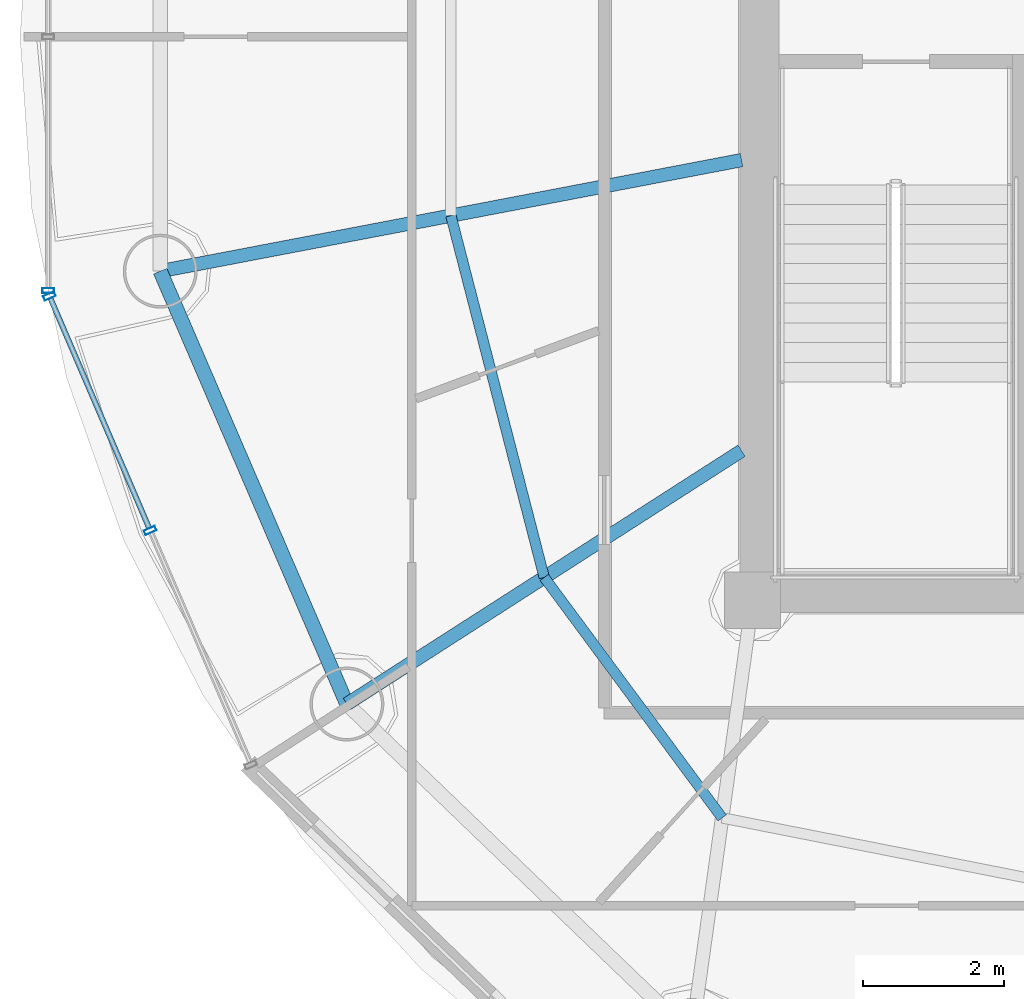
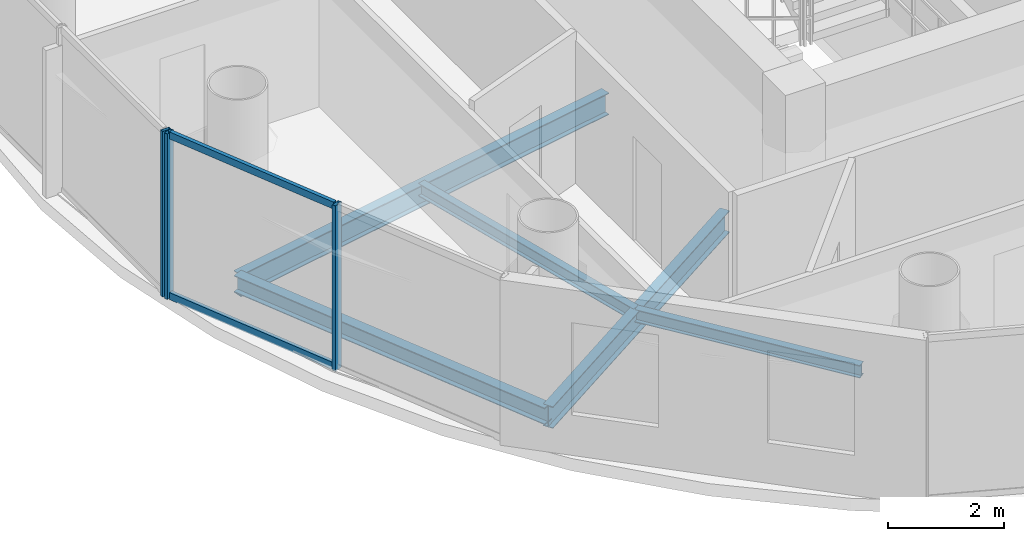
# One storey, part 4 of 22: 5 beams, 5 members, 2 elements without a shape of their own.
"""IFC4 building model written with IfcOpenShell, lengths in metres."""

from ifc_helpers import new_model, si_unit, direction, frame, origin, origin_2d, place, context, subcontext, project, spatial, hollow_rectangle, i_section, extrude, source, transform, mapped, material, material_profile, profile_set, type_object, element, aggregate, save


model = new_model("IFC4")

# Units and contexts
model_context = context("Model", 3, precision=1e-05, world=origin(), true_north=direction((-0.2419218956, 0.970295726276)))
body_context = subcontext(model_context, "Body", "Model", "MODEL_VIEW")
ifc_project = project(units=[si_unit("LENGTHUNIT", "METRE"), si_unit("AREAUNIT", "SQUARE_METRE"), si_unit("VOLUMEUNIT", "CUBIC_METRE"), si_unit("PLANEANGLEUNIT", "RADIAN"), si_unit("MASSUNIT", "GRAM", prefix="KILO")], contexts=[model_context])

# Site, building, storey
site_placement = place(None, origin())
site = spatial("IfcSite", under=ifc_project, at=site_placement, CompositionType="ELEMENT")
building_placement = place(site_placement, origin())
building = spatial("IfcBuilding", under=site, at=building_placement, Name="Cobrevalo Terracotta Tower", CompositionType="ELEMENT")
storey_placement = place(building_placement, frame((0.0, 0.0, 289.449951171875)))
storey = spatial("IfcBuildingStorey", under=building, at=storey_placement, Name="L76", CompositionType="ELEMENT", Elevation=289.449951171875)

# Beams
ifc_material_1 = material(Name="Steel S355", Category="steel")
ifc_material_profile_1 = material_profile(ifc_material_1, i_section(OverallWidth=0.19091796875, OverallDepth=0.4599609375, WebThickness=0.010009765625, FlangeThickness=0.01611328125, at=origin_2d()), Name="W 460x82")
ifc_profile_set_1 = profile_set([ifc_material_profile_1], Name="Steel S355")
beam_type_1 = type_object("IfcBeamType", Name="Structural Beam W 460x82 (Steel S355)", PredefinedType="BEAM", material=ifc_profile_set_1)
beam_1_placement = place(storey_placement, frame((20.591064453125, 23.4736328125, -0.489990234375), z_axis=(0.982229562106, 0.187683476432, 0.0), x_axis=(-0.187683476432, 0.982229562106, 0.0)))
element("IfcBeam", 1, at=beam_1_placement, inside=storey, type_object=beam_type_1, Name="L76 radial floor girder 09", PredefinedType="BEAM", context=body_context, shape_type="SweptSolid", body=[
    extrude(i_section(OverallWidth=0.19091796875, OverallDepth=0.4599609375, WebThickness=0.010009765625, FlangeThickness=0.01611328125, at=origin_2d()), origin(), (0.0, 0.0, 1.0), 8.4033203125),
])
beam_2_placement = place(storey_placement, frame((23.241455078125, 17.32763671875, -0.489990234375), z_axis=(0.84157615512, 0.540138477739, 0.0), x_axis=(-0.540138477739, 0.84157615512, 0.0)))
element("IfcBeam", 2, at=beam_2_placement, inside=storey, type_object=beam_type_1, Name="L76 radial floor girder 10", PredefinedType="BEAM", context=body_context, shape_type="SweptSolid", body=[
    extrude(i_section(OverallWidth=0.19091796875, OverallDepth=0.4599609375, WebThickness=0.010009765625, FlangeThickness=0.01611328125, at=origin_2d()), origin(), (0.0, 0.0, 1.0), 6.658447265625),
])
ifc_material_profile_2 = material_profile(ifc_material_1, i_section(OverallWidth=0.14794921875, OverallDepth=0.26611328125, WebThickness=0.007568359375, FlangeThickness=0.012939453125, at=origin_2d()), Name="W 250x44.8")
ifc_profile_set_2 = profile_set([ifc_material_profile_2], Name="Steel S355")
beam_type_2 = type_object("IfcBeamType", Name="Structural Joist W 250x44.8 (Steel S355)", PredefinedType="JOIST", material=ifc_profile_set_2)
beam_3_placement = place(storey_placement, frame((24.718017578125, 24.26220703125, -0.39306640625), z_axis=(0.249816773293, -0.968293126993, 0.0), x_axis=(0.968293126993, 0.249816773293, 0.0)))
element("IfcBeam", 3, at=beam_3_placement, inside=storey, type_object=beam_type_2, Name="L76 circumferential secondary floor joist 09", PredefinedType="JOIST", context=body_context, shape_type="SweptSolid", body=[
    extrude(i_section(OverallWidth=0.14794921875, OverallDepth=0.26611328125, WebThickness=0.007568359375, FlangeThickness=0.012939453125, at=origin_2d()), origin(), (0.0, 0.0, 1.0), 5.3046875),
])
beam_4_placement = place(storey_placement, frame((26.043212890625, 19.125732421875, -0.39306640625), z_axis=(0.594799916617, -0.803873783123, 0.0), x_axis=(0.803873783123, 0.594799916617, 0.0)))
element("IfcBeam", 4, at=beam_4_placement, inside=storey, type_object=beam_type_2, Name="L76 circumferential secondary floor joist 10", PredefinedType="JOIST", context=body_context, shape_type="SweptSolid", body=[
    extrude(i_section(OverallWidth=0.14794921875, OverallDepth=0.26611328125, WebThickness=0.007568359375, FlangeThickness=0.012939453125, at=origin_2d()), origin(), (0.0, 0.0, 1.0), 4.2470703125),
])
ifc_material_profile_3 = material_profile(ifc_material_1, i_section(OverallWidth=0.205078125, OverallDepth=0.35400390625, WebThickness=0.009521484375, FlangeThickness=0.016845703125, at=origin_2d()), Name="W 360x79")
ifc_profile_set_3 = profile_set([ifc_material_profile_3], Name="Steel S355")
beam_type_3 = type_object("IfcBeamType", Name="Structural Spandrel W 360x79 (Steel S355)", PredefinedType="SPANDREL", material=ifc_profile_set_3)
beam_5_placement = place(storey_placement, frame((20.591064453125, 23.4736328125, -0.43701171875), z_axis=(0.395987390706, -0.918255948198, 0.0), x_axis=(0.918255948198, 0.395987390706, 0.0)))
element("IfcBeam", 5, at=beam_5_placement, inside=storey, type_object=beam_type_3, Name="L76 perimeter ring spandrel 09", PredefinedType="SPANDREL", context=body_context, shape_type="SweptSolid", body=[
    extrude(i_section(OverallWidth=0.205078125, OverallDepth=0.35400390625, WebThickness=0.009521484375, FlangeThickness=0.016845703125, at=origin_2d()), origin(), (0.0, 0.0, 1.0), 6.693115234375),
])

# Curtain wall, member
ifc_material_2 = material(Name="Anodized aluminium", Category="aluminium")
curtain_wall_type = type_object("IfcCurtainWallType", Name="Upper-tower triple-glazed penthouse curtain wall CW-U3", PredefinedType="NOTDEFINED", material=ifc_material_2)
curtain_wall_1_placement = place(storey_placement, origin())
curtain_wall_1 = element("IfcCurtainWall", 6, at=curtain_wall_1_placement, inside=storey, type_object=curtain_wall_type, Name="L76 curtain wall CW-L76-S08", PredefinedType="NOTDEFINED")
ifc_material_profile_4 = material_profile(ifc_material_2, hollow_rectangle(XDim=0.070068359375, YDim=0.169921875, WallThickness=0.00439453125, at=origin_2d()), Name="CWM 70x170")
ifc_profile_set_4 = profile_set([ifc_material_profile_4], Name="Anodized aluminium")
member_type_1 = type_object("IfcMemberType", Name="Upper tower unitised mullion 70x170", PredefinedType="MULLION", material=ifc_profile_set_4)
shared_shape_1 = source(origin(), body_context, "Body", "SweptSolid", [
    extrude(hollow_rectangle(XDim=0.070068359375, YDim=0.169921875, WallThickness=0.00439453125, at=origin_2d()), origin(), (0.0, 0.0, 1.0), 3.489990234375),
])
member_1_placement = place(storey_placement, frame((19.002197265625, 23.19775390625, 0.0), z_axis=(0.0, 0.0, 1.0), x_axis=(0.0, -1.0, 0.0)))
member_1 = element("IfcMember", 7, at=member_1_placement, type_object=member_type_1, Name="CW-L76-S08 vertical mullion 03", PredefinedType="MULLION", context=body_context, shape_type="MappedRepresentation", body=[
    mapped(shared_shape_1, transform((0.0, 0.0, 0.0), scale=1.0)),
])
aggregate(curtain_wall_1, [member_1])

# Curtain wall, members
curtain_wall_2_placement = place(storey_placement, origin())
curtain_wall_2 = element("IfcCurtainWall", 8, at=curtain_wall_2_placement, inside=storey, type_object=curtain_wall_type, Name="L76 curtain wall CW-L76-S09", PredefinedType="NOTDEFINED")
member_2_placement = place(storey_placement, frame((19.01806640625, 23.120849609375, 0.0), z_axis=(0.0, 0.0, 1.0), x_axis=(0.39482403454, -0.91875675875, 0.0)))
member_2 = element("IfcMember", 9, at=member_2_placement, type_object=member_type_1, Name="CW-L76-S09 vertical mullion 01", PredefinedType="MULLION", context=body_context, shape_type="MappedRepresentation", body=[
    mapped(shared_shape_1, transform((0.0, 0.0, 0.0), scale=1.0)),
])
member_3_placement = place(storey_placement, frame((20.4482421875, 19.79248046875, 0.0), z_axis=(0.0, 0.0, 1.0), x_axis=(0.39482403454, -0.91875675875, 0.0)))
member_3 = element("IfcMember", 10, at=member_3_placement, type_object=member_type_1, Name="CW-L76-S09 vertical mullion 02", PredefinedType="MULLION", context=body_context, shape_type="MappedRepresentation", body=[
    mapped(shared_shape_1, transform((0.0, 0.0, 0.0), scale=1.0)),
])
ifc_material_profile_5 = material_profile(ifc_material_2, hollow_rectangle(XDim=0.074951171875, YDim=0.14990234375, WallThickness=0.00439453125, at=origin_2d()), Name="CWT 75x150")
ifc_profile_set_5 = profile_set([ifc_material_profile_5], Name="Anodized aluminium")
member_type_2 = type_object("IfcMemberType", Name="Tower unitised aluminium transom 75x150", PredefinedType="USERDEFINED", material=ifc_profile_set_5)
shared_shape_2 = source(origin(), body_context, "Body", "SweptSolid", [
    extrude(hollow_rectangle(XDim=0.074951171875, YDim=0.14990234375, WallThickness=0.00439453125, at=origin_2d()), origin(), (0.0, 0.0, 1.0), 3.542724609375),
])
member_4_placement = place(storey_placement, frame((19.03369140625, 23.084228515625, 0.050048828125), z_axis=(0.394867226589, -0.918738196314, 0.0), x_axis=(0.918738196314, 0.394867226589, 0.0)))
member_4 = element("IfcMember", 11, at=member_4_placement, type_object=member_type_2, Name="CW-L76-S09 transom B01-T1", ObjectType="TRANSOM", PredefinedType="USERDEFINED", context=body_context, shape_type="MappedRepresentation", body=[
    mapped(shared_shape_2, transform((0.0, 0.0, 0.0), scale=1.0)),
])
member_5_placement = place(storey_placement, frame((19.03369140625, 23.084228515625, 3.43994140625), z_axis=(0.394867226589, -0.918738196314, 0.0), x_axis=(0.918738196314, 0.394867226589, 0.0)))
member_5 = element("IfcMember", 12, at=member_5_placement, type_object=member_type_2, Name="CW-L76-S09 transom B01-T2", ObjectType="TRANSOM", PredefinedType="USERDEFINED", context=body_context, shape_type="MappedRepresentation", body=[
    mapped(shared_shape_2, transform((0.0, 0.0, 0.0), scale=1.0)),
])
aggregate(curtain_wall_2, [member_2, member_3, member_4, member_5])

save(model, "model.ifc")
